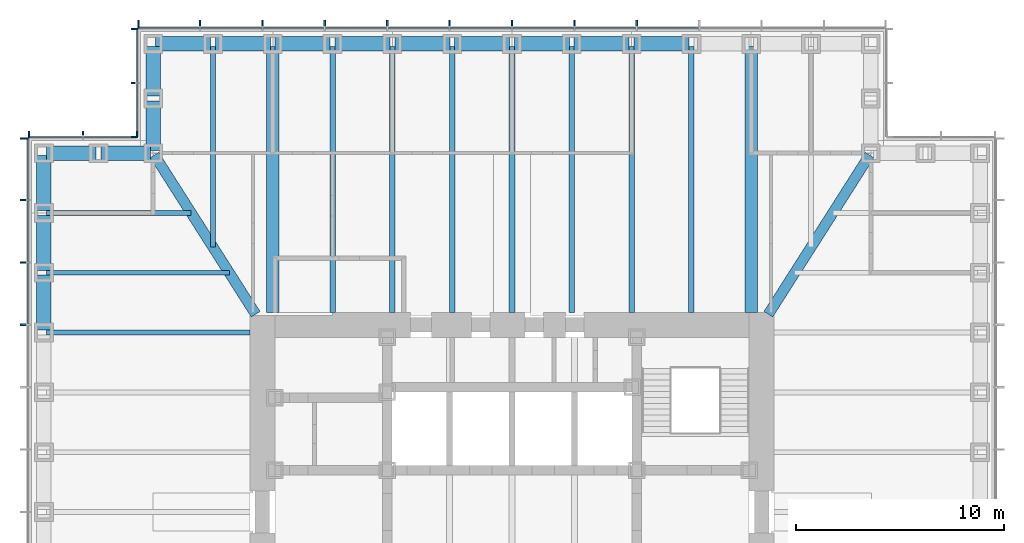
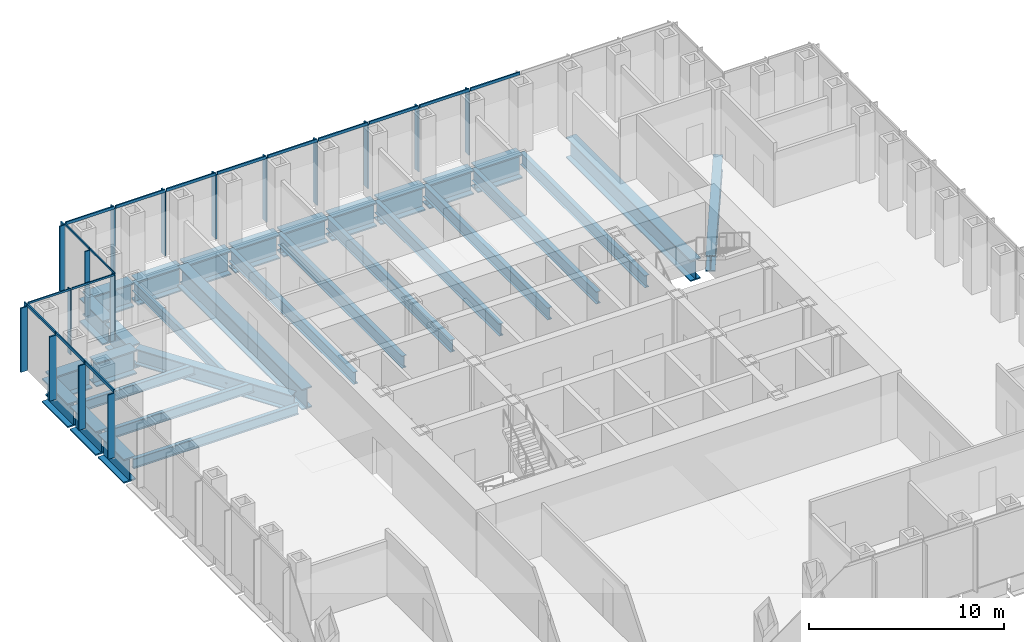
# One storey, part 5 of 17: 35 members, 31 beams, 4 elements without a shape of their own.
"""IFC4 building model written with IfcOpenShell, lengths in metres."""

from ifc_helpers import new_model, si_unit, direction, frame, origin, origin_2d, place, context, subcontext, project, spatial, rectangle, i_section, extrude, material, material_profile, profile_set, type_object, element, aggregate, save


model = new_model("IFC4")

# Units and contexts
model_context = context("Model", 3, precision=1e-05, world=origin(), true_north=direction((0.0, 1.0)))
body_context = subcontext(model_context, "Body", "Model", "MODEL_VIEW")
ifc_project = project(units=[si_unit("LENGTHUNIT", "METRE"), si_unit("AREAUNIT", "SQUARE_METRE"), si_unit("VOLUMEUNIT", "CUBIC_METRE"), si_unit("PLANEANGLEUNIT", "RADIAN"), si_unit("MASSUNIT", "GRAM", prefix="KILO")], contexts=[model_context])

# Site, building, storey
site_placement = place(None, origin())
site = spatial("IfcSite", under=ifc_project, at=site_placement, CompositionType="ELEMENT")
building_placement = place(site_placement, origin())
building = spatial("IfcBuilding", under=site, at=building_placement, Name="Daluyong Arena Tower", CompositionType="ELEMENT")
storey_placement = place(building_placement, frame((0.0, 0.0, 124.89990234375)))
storey = spatial("IfcBuildingStorey", under=building, at=storey_placement, Name="L27", CompositionType="ELEMENT", Elevation=124.89990234375)

# Curtain wall, members
ifc_material_1 = material(Name="Bronze anodised aluminium and glass", Category="aluminium")
curtain_wall_type_1 = type_object("IfcCurtainWallType", Name="Curtain wall CW2", PredefinedType="USERDEFINED", material=ifc_material_1)
curtain_wall_1_placement = place(storey_placement, origin())
curtain_wall_1 = element("IfcCurtainWall", 1, at=curtain_wall_1_placement, inside=storey, type_object=curtain_wall_type_1, Name="curtain wall L27 N", ObjectType="UNITISED CURTAIN WALL", PredefinedType="USERDEFINED")
ifc_material_2 = material(Name="Bronze anodised aluminium fin", Category="aluminium")
ifc_material_profile_1 = material_profile(ifc_material_2, rectangle(XDim=0.39990234375, YDim=0.080078125, at=origin_2d()))
ifc_profile_set_1 = profile_set([ifc_material_profile_1], Name="Bronze anodised aluminium fin")
member_type_1 = type_object("IfcMemberType", Name="CW2 bronze fin 400x80", PredefinedType="MULLION", material=ifc_profile_set_1)
member_1_placement = place(storey_placement, frame((62.0, 103.449951171875, 0.0), z_axis=(0.0, 0.0, 1.0), x_axis=(0.0, -1.0, 0.0)))
member_1 = element("IfcMember", 2, at=member_1_placement, type_object=member_type_1, Name="curtain wall L27 N fin 5", PredefinedType="MULLION", context=body_context, shape_type="SweptSolid", body=[
    extrude(rectangle(XDim=0.39990234375, YDim=0.080078125, at=origin_2d()), origin(), (0.0, 0.0, 1.0), 4.02001953125),
])
member_2_placement = place(storey_placement, frame((59.0, 103.449951171875, 0.0), z_axis=(0.0, 0.0, 1.0), x_axis=(0.0, -1.0, 0.0)))
member_2 = element("IfcMember", 3, at=member_2_placement, type_object=member_type_1, Name="curtain wall L27 N fin 6", PredefinedType="MULLION", context=body_context, shape_type="SweptSolid", body=[
    extrude(rectangle(XDim=0.39990234375, YDim=0.080078125, at=origin_2d()), origin(), (0.0, 0.0, 1.0), 4.02001953125),
])
member_3_placement = place(storey_placement, frame((56.0, 103.449951171875, 0.0), z_axis=(0.0, 0.0, 1.0), x_axis=(0.0, -1.0, 0.0)))
member_3 = element("IfcMember", 4, at=member_3_placement, type_object=member_type_1, Name="curtain wall L27 N fin 7", PredefinedType="MULLION", context=body_context, shape_type="SweptSolid", body=[
    extrude(rectangle(XDim=0.39990234375, YDim=0.080078125, at=origin_2d()), origin(), (0.0, 0.0, 1.0), 4.02001953125),
])
member_4_placement = place(storey_placement, frame((53.0, 103.449951171875, 0.0), z_axis=(0.0, 0.0, 1.0), x_axis=(0.0, -1.0, 0.0)))
member_4 = element("IfcMember", 5, at=member_4_placement, type_object=member_type_1, Name="curtain wall L27 N fin 8", PredefinedType="MULLION", context=body_context, shape_type="SweptSolid", body=[
    extrude(rectangle(XDim=0.39990234375, YDim=0.080078125, at=origin_2d()), origin(), (0.0, 0.0, 1.0), 4.02001953125),
])
member_5_placement = place(storey_placement, frame((50.0, 103.449951171875, 0.0), z_axis=(0.0, 0.0, 1.0), x_axis=(0.0, -1.0, 0.0)))
member_5 = element("IfcMember", 6, at=member_5_placement, type_object=member_type_1, Name="curtain wall L27 N fin 9", PredefinedType="MULLION", context=body_context, shape_type="SweptSolid", body=[
    extrude(rectangle(XDim=0.39990234375, YDim=0.080078125, at=origin_2d()), origin(), (0.0, 0.0, 1.0), 4.02001953125),
])
member_6_placement = place(storey_placement, frame((47.0, 103.449951171875, 0.0), z_axis=(0.0, 0.0, 1.0), x_axis=(0.0, -1.0, 0.0)))
member_6 = element("IfcMember", 7, at=member_6_placement, type_object=member_type_1, Name="curtain wall L27 N fin 10", PredefinedType="MULLION", context=body_context, shape_type="SweptSolid", body=[
    extrude(rectangle(XDim=0.39990234375, YDim=0.080078125, at=origin_2d()), origin(), (0.0, 0.0, 1.0), 4.02001953125),
])
member_7_placement = place(storey_placement, frame((44.0, 103.449951171875, 0.0), z_axis=(0.0, 0.0, 1.0), x_axis=(0.0, -1.0, 0.0)))
member_7 = element("IfcMember", 8, at=member_7_placement, type_object=member_type_1, Name="curtain wall L27 N fin 11", PredefinedType="MULLION", context=body_context, shape_type="SweptSolid", body=[
    extrude(rectangle(XDim=0.39990234375, YDim=0.080078125, at=origin_2d()), origin(), (0.0, 0.0, 1.0), 4.02001953125),
])
member_8_placement = place(storey_placement, frame((41.0, 103.449951171875, 0.0), z_axis=(0.0, 0.0, 1.0), x_axis=(0.0, -1.0, 0.0)))
member_8 = element("IfcMember", 9, at=member_8_placement, type_object=member_type_1, Name="curtain wall L27 N fin 12", PredefinedType="MULLION", context=body_context, shape_type="SweptSolid", body=[
    extrude(rectangle(XDim=0.39990234375, YDim=0.080078125, at=origin_2d()), origin(), (0.0, 0.0, 1.0), 4.02001953125),
])
member_9_placement = place(storey_placement, frame((38.0400390625, 103.449951171875, 0.0), z_axis=(0.0, 0.0, 1.0), x_axis=(0.0, -1.0, 0.0)))
member_9 = element("IfcMember", 10, at=member_9_placement, type_object=member_type_1, Name="curtain wall L27 N fin 13", PredefinedType="MULLION", context=body_context, shape_type="SweptSolid", body=[
    extrude(rectangle(XDim=0.39990234375, YDim=0.080078125, at=origin_2d()), origin(), (0.0, 0.0, 1.0), 4.02001953125),
])

curtain_wall_2_placement = place(storey_placement, origin())
curtain_wall_2 = element("IfcCurtainWall", 11, at=curtain_wall_2_placement, inside=storey, type_object=curtain_wall_type_1, Name="curtain wall L27 W", ObjectType="UNITISED CURTAIN WALL", PredefinedType="USERDEFINED")
member_10_placement = place(storey_placement, frame((32.550048828125, 97.9599609375, 0.0), z_axis=(0.0, 0.0, 1.0), x_axis=(1.0, 0.0, 0.0)))
member_10 = element("IfcMember", 12, at=member_10_placement, type_object=member_type_1, Name="curtain wall L27 W fin 1", PredefinedType="MULLION", context=body_context, shape_type="SweptSolid", body=[
    extrude(rectangle(XDim=0.39990234375, YDim=0.080078125, at=origin_2d()), origin(), (0.0, 0.0, 1.0), 4.02001953125),
])
member_11_placement = place(storey_placement, frame((32.550048828125, 95.0, 0.0), z_axis=(0.0, 0.0, 1.0), x_axis=(1.0, 0.0, 0.0)))
member_11 = element("IfcMember", 13, at=member_11_placement, type_object=member_type_1, Name="curtain wall L27 W fin 2", PredefinedType="MULLION", context=body_context, shape_type="SweptSolid", body=[
    extrude(rectangle(XDim=0.39990234375, YDim=0.080078125, at=origin_2d()), origin(), (0.0, 0.0, 1.0), 4.02001953125),
])
member_12_placement = place(storey_placement, frame((32.550048828125, 92.0, 0.0), z_axis=(0.0, 0.0, 1.0), x_axis=(1.0, 0.0, 0.0)))
member_12 = element("IfcMember", 14, at=member_12_placement, type_object=member_type_1, Name="curtain wall L27 W fin 3", PredefinedType="MULLION", context=body_context, shape_type="SweptSolid", body=[
    extrude(rectangle(XDim=0.39990234375, YDim=0.080078125, at=origin_2d()), origin(), (0.0, 0.0, 1.0), 4.02001953125),
])
member_13_placement = place(storey_placement, frame((32.550048828125, 89.0, 0.0), z_axis=(0.0, 0.0, 1.0), x_axis=(1.0, 0.0, 0.0)))
member_13 = element("IfcMember", 15, at=member_13_placement, type_object=member_type_1, Name="curtain wall L27 W fin 4", PredefinedType="MULLION", context=body_context, shape_type="SweptSolid", body=[
    extrude(rectangle(XDim=0.39990234375, YDim=0.080078125, at=origin_2d()), origin(), (0.0, 0.0, 1.0), 4.02001953125),
])

# Member
ifc_material_3 = material(Name="Bronze anodised aluminium", Category="aluminium")
ifc_material_profile_2 = material_profile(ifc_material_3, rectangle(XDim=0.080078125, YDim=0.179931640625, at=origin_2d()))
ifc_profile_set_2 = profile_set([ifc_material_profile_2], Name="Bronze anodised aluminium")
member_type_2 = type_object("IfcMemberType", Name="CW2 stack transom 180x80", PredefinedType="USERDEFINED", material=ifc_profile_set_2)
member_14_placement = place(storey_placement, frame((64.9599609375, 103.25, 4.110107421875), z_axis=(-1.0, 0.0, 0.0), x_axis=(0.0, -1.0, 0.0)))
member_14 = element("IfcMember", 16, at=member_14_placement, type_object=member_type_2, Name="curtain wall L27 N transom 4", ObjectType="TRANSOM", PredefinedType="USERDEFINED", context=body_context, shape_type="SweptSolid", body=[
    extrude(rectangle(XDim=0.080078125, YDim=0.179931640625, at=origin_2d()), origin(), (0.0, 0.0, 1.0), 2.919921875),
])

member_15_placement = place(storey_placement, frame((61.9599609375, 103.25, 4.110107421875), z_axis=(-1.0, 0.0, 0.0), x_axis=(0.0, -1.0, 0.0)))
member_15 = element("IfcMember", 17, at=member_15_placement, type_object=member_type_2, Name="curtain wall L27 N transom 5", ObjectType="TRANSOM", PredefinedType="USERDEFINED", context=body_context, shape_type="SweptSolid", body=[
    extrude(rectangle(XDim=0.080078125, YDim=0.179931640625, at=origin_2d()), origin(), (0.0, 0.0, 1.0), 2.919921875),
])

member_16_placement = place(storey_placement, frame((58.9599609375, 103.25, 4.110107421875), z_axis=(-1.0, 0.0, 0.0), x_axis=(0.0, -1.0, 0.0)))
member_16 = element("IfcMember", 18, at=member_16_placement, type_object=member_type_2, Name="curtain wall L27 N transom 6", ObjectType="TRANSOM", PredefinedType="USERDEFINED", context=body_context, shape_type="SweptSolid", body=[
    extrude(rectangle(XDim=0.080078125, YDim=0.179931640625, at=origin_2d()), origin(), (0.0, 0.0, 1.0), 2.919921875),
])

member_17_placement = place(storey_placement, frame((55.9599609375, 103.25, 4.110107421875), z_axis=(-1.0, 0.0, 0.0), x_axis=(0.0, -1.0, 0.0)))
member_17 = element("IfcMember", 19, at=member_17_placement, type_object=member_type_2, Name="curtain wall L27 N transom 7", ObjectType="TRANSOM", PredefinedType="USERDEFINED", context=body_context, shape_type="SweptSolid", body=[
    extrude(rectangle(XDim=0.080078125, YDim=0.179931640625, at=origin_2d()), origin(), (0.0, 0.0, 1.0), 2.919921875),
])

member_18_placement = place(storey_placement, frame((52.9599609375, 103.25, 4.110107421875), z_axis=(-1.0, 0.0, 0.0), x_axis=(0.0, -1.0, 0.0)))
member_18 = element("IfcMember", 20, at=member_18_placement, type_object=member_type_2, Name="curtain wall L27 N transom 8", ObjectType="TRANSOM", PredefinedType="USERDEFINED", context=body_context, shape_type="SweptSolid", body=[
    extrude(rectangle(XDim=0.080078125, YDim=0.179931640625, at=origin_2d()), origin(), (0.0, 0.0, 1.0), 2.919921875),
])

member_19_placement = place(storey_placement, frame((49.9599609375, 103.25, 4.110107421875), z_axis=(-1.0, 0.0, 0.0), x_axis=(0.0, -1.0, 0.0)))
member_19 = element("IfcMember", 21, at=member_19_placement, type_object=member_type_2, Name="curtain wall L27 N transom 9", ObjectType="TRANSOM", PredefinedType="USERDEFINED", context=body_context, shape_type="SweptSolid", body=[
    extrude(rectangle(XDim=0.080078125, YDim=0.179931640625, at=origin_2d()), origin(), (0.0, 0.0, 1.0), 2.919921875),
])

member_20_placement = place(storey_placement, frame((46.9599609375, 103.25, 4.110107421875), z_axis=(-1.0, 0.0, 0.0), x_axis=(0.0, -1.0, 0.0)))
member_20 = element("IfcMember", 22, at=member_20_placement, type_object=member_type_2, Name="curtain wall L27 N transom 10", ObjectType="TRANSOM", PredefinedType="USERDEFINED", context=body_context, shape_type="SweptSolid", body=[
    extrude(rectangle(XDim=0.080078125, YDim=0.179931640625, at=origin_2d()), origin(), (0.0, 0.0, 1.0), 2.919921875),
])

member_21_placement = place(storey_placement, frame((43.9599609375, 103.25, 4.110107421875), z_axis=(-1.0, 0.0, 0.0), x_axis=(0.0, -1.0, 0.0)))
member_21 = element("IfcMember", 23, at=member_21_placement, type_object=member_type_2, Name="curtain wall L27 N transom 11", ObjectType="TRANSOM", PredefinedType="USERDEFINED", context=body_context, shape_type="SweptSolid", body=[
    extrude(rectangle(XDim=0.080078125, YDim=0.179931640625, at=origin_2d()), origin(), (0.0, 0.0, 1.0), 2.919921875),
])

member_22_placement = place(storey_placement, frame((40.9599609375, 103.25, 4.110107421875), z_axis=(-1.0, 0.0, 0.0), x_axis=(0.0, -1.0, 0.0)))
member_22 = element("IfcMember", 24, at=member_22_placement, type_object=member_type_2, Name="curtain wall L27 N transom 12", ObjectType="TRANSOM", PredefinedType="USERDEFINED", context=body_context, shape_type="SweptSolid", body=[
    extrude(rectangle(XDim=0.080078125, YDim=0.179931640625, at=origin_2d()), origin(), (0.0, 0.0, 1.0), 2.8798828125),
])

aggregate(curtain_wall_1, [member_1, member_2, member_3, member_4, member_5, member_6, member_7, member_8, member_9, member_14, member_15, member_16, member_17, member_18, member_19, member_20, member_21, member_22])

member_23_placement = place(storey_placement, frame((32.75, 97.919921875, 4.110107421875), z_axis=(0.0, -1.0, 0.0), x_axis=(1.0, 0.0, 0.0)))
member_23 = element("IfcMember", 25, at=member_23_placement, type_object=member_type_2, Name="curtain wall L27 W transom 1", ObjectType="TRANSOM", PredefinedType="USERDEFINED", context=body_context, shape_type="SweptSolid", body=[
    extrude(rectangle(XDim=0.080078125, YDim=0.179931640625, at=origin_2d()), origin(), (0.0, 0.0, 1.0), 2.8798828125),
])

member_24_placement = place(storey_placement, frame((32.75, 94.9599609375, 4.110107421875), z_axis=(0.0, -1.0, 0.0), x_axis=(1.0, 0.0, 0.0)))
member_24 = element("IfcMember", 26, at=member_24_placement, type_object=member_type_2, Name="curtain wall L27 W transom 2", ObjectType="TRANSOM", PredefinedType="USERDEFINED", context=body_context, shape_type="SweptSolid", body=[
    extrude(rectangle(XDim=0.080078125, YDim=0.179931640625, at=origin_2d()), origin(), (0.0, 0.0, 1.0), 2.919921875),
])

member_25_placement = place(storey_placement, frame((32.75, 91.9599609375, 4.110107421875), z_axis=(0.0, -1.0, 0.0), x_axis=(1.0, 0.0, 0.0)))
member_25 = element("IfcMember", 27, at=member_25_placement, type_object=member_type_2, Name="curtain wall L27 W transom 3", ObjectType="TRANSOM", PredefinedType="USERDEFINED", context=body_context, shape_type="SweptSolid", body=[
    extrude(rectangle(XDim=0.080078125, YDim=0.179931640625, at=origin_2d()), origin(), (0.0, 0.0, 1.0), 2.919921875),
])

aggregate(curtain_wall_2, [member_10, member_11, member_12, member_13, member_23, member_24, member_25])

# Curtain wall, members
ifc_material_4 = material(Name="Bronze anodised aluminium and glass", Category="aluminium")
curtain_wall_type_2 = type_object("IfcCurtainWallType", Name="Curtain wall CW7", PredefinedType="USERDEFINED", material=ifc_material_4)
curtain_wall_3_placement = place(storey_placement, origin())
curtain_wall_3 = element("IfcCurtainWall", 28, at=curtain_wall_3_placement, inside=storey, type_object=curtain_wall_type_2, Name="curtain wall L27 NW-W", ObjectType="UNITISED CURTAIN WALL", PredefinedType="USERDEFINED")
ifc_material_5 = material(Name="Bronze anodised aluminium fin", Category="aluminium")
ifc_material_profile_3 = material_profile(ifc_material_5, rectangle(XDim=0.300048828125, YDim=0.06005859375, at=origin_2d()))
ifc_profile_set_3 = profile_set([ifc_material_profile_3], Name="Bronze anodised aluminium fin")
member_type_3 = type_object("IfcMemberType", Name="CW7 bronze fin 300x60", PredefinedType="MULLION", material=ifc_profile_set_3)
member_26_placement = place(storey_placement, frame((37.85009765625, 103.219970703125, 0.0), z_axis=(0.0, 0.0, 1.0), x_axis=(1.0, 0.0, 0.0)))
member_26 = element("IfcMember", 29, at=member_26_placement, type_object=member_type_3, Name="curtain wall L27 NW-W fin 1", PredefinedType="MULLION", context=body_context, shape_type="SweptSolid", body=[
    extrude(rectangle(XDim=0.300048828125, YDim=0.06005859375, at=origin_2d()), origin(), (0.0, 0.0, 1.0), 4.080078125),
])
member_27_placement = place(storey_placement, frame((37.85009765625, 100.625, 0.0), z_axis=(0.0, 0.0, 1.0), x_axis=(1.0, 0.0, 0.0)))
member_27 = element("IfcMember", 30, at=member_27_placement, type_object=member_type_3, Name="curtain wall L27 NW-W fin 2", PredefinedType="MULLION", context=body_context, shape_type="SweptSolid", body=[
    extrude(rectangle(XDim=0.300048828125, YDim=0.06005859375, at=origin_2d()), origin(), (0.0, 0.0, 1.0), 4.080078125),
])
member_28_placement = place(storey_placement, frame((37.85009765625, 98.030029296875, 0.0), z_axis=(0.0, 0.0, 1.0), x_axis=(1.0, 0.0, 0.0)))
member_28 = element("IfcMember", 31, at=member_28_placement, type_object=member_type_3, Name="curtain wall L27 NW-W fin 3", PredefinedType="MULLION", context=body_context, shape_type="SweptSolid", body=[
    extrude(rectangle(XDim=0.300048828125, YDim=0.06005859375, at=origin_2d()), origin(), (0.0, 0.0, 1.0), 4.080078125),
])

curtain_wall_4_placement = place(storey_placement, origin())
curtain_wall_4 = element("IfcCurtainWall", 32, at=curtain_wall_4_placement, inside=storey, type_object=curtain_wall_type_2, Name="curtain wall L27 NW-N", ObjectType="UNITISED CURTAIN WALL", PredefinedType="USERDEFINED")
member_29_placement = place(storey_placement, frame((37.969970703125, 98.14990234375, 0.0), z_axis=(0.0, 0.0, 1.0), x_axis=(0.0, -1.0, 0.0)))
member_29 = element("IfcMember", 33, at=member_29_placement, type_object=member_type_3, Name="curtain wall L27 NW-N fin 1", PredefinedType="MULLION", context=body_context, shape_type="SweptSolid", body=[
    extrude(rectangle(XDim=0.300048828125, YDim=0.06005859375, at=origin_2d()), origin(), (0.0, 0.0, 1.0), 4.080078125),
])
member_30_placement = place(storey_placement, frame((35.375, 98.14990234375, 0.0), z_axis=(0.0, 0.0, 1.0), x_axis=(0.0, -1.0, 0.0)))
member_30 = element("IfcMember", 34, at=member_30_placement, type_object=member_type_3, Name="curtain wall L27 NW-N fin 2", PredefinedType="MULLION", context=body_context, shape_type="SweptSolid", body=[
    extrude(rectangle(XDim=0.300048828125, YDim=0.06005859375, at=origin_2d()), origin(), (0.0, 0.0, 1.0), 4.080078125),
])
member_31_placement = place(storey_placement, frame((32.780029296875, 98.14990234375, 0.0), z_axis=(0.0, 0.0, 1.0), x_axis=(0.0, -1.0, 0.0)))
member_31 = element("IfcMember", 35, at=member_31_placement, type_object=member_type_3, Name="curtain wall L27 NW-N fin 3", PredefinedType="MULLION", context=body_context, shape_type="SweptSolid", body=[
    extrude(rectangle(XDim=0.300048828125, YDim=0.06005859375, at=origin_2d()), origin(), (0.0, 0.0, 1.0), 4.080078125),
])

# Member
ifc_material_6 = material(Name="Bronze anodised aluminium", Category="aluminium")
ifc_material_profile_4 = material_profile(ifc_material_6, rectangle(XDim=0.06005859375, YDim=0.1201171875, at=origin_2d()))
ifc_profile_set_4 = profile_set([ifc_material_profile_4], Name="Bronze anodised aluminium")
member_type_4 = type_object("IfcMemberType", Name="CW7 stack transom 120x60", PredefinedType="USERDEFINED", material=ifc_profile_set_4)
member_32_placement = place(storey_placement, frame((38.0, 103.18994140625, 4.14013671875), z_axis=(0.0, -1.0, 0.0), x_axis=(1.0, 0.0, 0.0)))
member_32 = element("IfcMember", 36, at=member_32_placement, type_object=member_type_4, Name="curtain wall L27 NW-W transom 1", ObjectType="TRANSOM", PredefinedType="USERDEFINED", context=body_context, shape_type="SweptSolid", body=[
    extrude(rectangle(XDim=0.06005859375, YDim=0.1201171875, at=origin_2d()), origin(), (0.0, 0.0, 1.0), 2.534912109375),
])

member_33_placement = place(storey_placement, frame((38.0, 100.594970703125, 4.14013671875), z_axis=(0.0, -1.0, 0.0), x_axis=(1.0, 0.0, 0.0)))
member_33 = element("IfcMember", 37, at=member_33_placement, type_object=member_type_4, Name="curtain wall L27 NW-W transom 2", ObjectType="TRANSOM", PredefinedType="USERDEFINED", context=body_context, shape_type="SweptSolid", body=[
    extrude(rectangle(XDim=0.06005859375, YDim=0.1201171875, at=origin_2d()), origin(), (0.0, 0.0, 1.0), 2.534912109375),
])

aggregate(curtain_wall_3, [member_26, member_27, member_28, member_32, member_33])

member_34_placement = place(storey_placement, frame((37.93994140625, 98.0, 4.14013671875), z_axis=(-1.0, 0.0, 0.0), x_axis=(0.0, -1.0, 0.0)))
member_34 = element("IfcMember", 38, at=member_34_placement, type_object=member_type_4, Name="curtain wall L27 NW-N transom 1", ObjectType="TRANSOM", PredefinedType="USERDEFINED", context=body_context, shape_type="SweptSolid", body=[
    extrude(rectangle(XDim=0.06005859375, YDim=0.1201171875, at=origin_2d()), origin(), (0.0, 0.0, 1.0), 2.534912109375),
])

member_35_placement = place(storey_placement, frame((35.344970703125, 98.0, 4.14013671875), z_axis=(-1.0, 0.0, 0.0), x_axis=(0.0, -1.0, 0.0)))
member_35 = element("IfcMember", 39, at=member_35_placement, type_object=member_type_4, Name="curtain wall L27 NW-N transom 2", ObjectType="TRANSOM", PredefinedType="USERDEFINED", context=body_context, shape_type="SweptSolid", body=[
    extrude(rectangle(XDim=0.06005859375, YDim=0.1201171875, at=origin_2d()), origin(), (0.0, 0.0, 1.0), 2.534912109375),
])

aggregate(curtain_wall_4, [member_29, member_30, member_31, member_34, member_35])

# Beams
ifc_material_7 = material(Name="Steel ASTM A572 Grade 50", Category="steel")
ifc_material_profile_5 = material_profile(ifc_material_7, i_section(OverallWidth=0.5, OverallDepth=1.0, WebThickness=0.03, FlangeThickness=0.06, at=origin_2d()))
ifc_profile_set_5 = profile_set([ifc_material_profile_5], Name="Steel ASTM A572 Grade 50")
beam_type_1 = type_object("IfcBeamType", Name="Corner girder TB1000X500", PredefinedType="BEAM", material=ifc_profile_set_5)
for number, where, z_axis, x_axis, name in (
    (40, (73.188232421875, 97.153076171875, -0.659912109375), (-0.536872006459, -0.843663705916, 0.0), (0.843663705916, -0.536872006459, 0.0), "corner girder DG2"),
    (41, (38.811767578125, 97.153076171875, -0.659912109375), (0.536872006459, -0.843663705916, 0.0), (0.843663705916, 0.536872006459, 0.0), "corner girder DG2"),
):
    element("IfcBeam", number, at=place(storey_placement, frame(where, z_axis=z_axis, x_axis=x_axis)), inside=storey, type_object=beam_type_1, Name=name, PredefinedType="BEAM", context=body_context, shape_type="SweptSolid", body=[
        extrude(i_section(OverallWidth=0.5, OverallDepth=1.0, WebThickness=0.03, FlangeThickness=0.06, at=origin_2d()), origin(), (0.0, 0.0, 1.0), 9.06396484375),
    ])
ifc_material_8 = material(Name="Steel ASTM A572 Grade 50", Category="steel")
ifc_material_profile_6 = material_profile(ifc_material_8, i_section(OverallWidth=0.60009765625, OverallDepth=1.300048828125, WebThickness=0.035, FlangeThickness=0.07, at=origin_2d()))
ifc_profile_set_6 = profile_set([ifc_material_profile_6], Name="Steel ASTM A572 Grade 50")
beam_type_2 = type_object("IfcBeamType", Name="Floor beam TB1300X600", PredefinedType="BEAM", material=ifc_profile_set_6)
for number, where, z_axis, x_axis, name in (
    (42, (67.5, 102.385009765625, -0.809814453125), (0.0, -1.0, 0.0), (1.0, 0.0, 0.0), "floor beam FB7"),
    (43, (44.5, 102.385009765625, -0.809814453125), (0.0, -1.0, 0.0), (1.0, 0.0, 0.0), "floor beam FB7"),
):
    element("IfcBeam", number, at=place(storey_placement, frame(where, z_axis=z_axis, x_axis=x_axis)), inside=storey, type_object=beam_type_2, Name=name, PredefinedType="BEAM", context=body_context, shape_type="SweptSolid", body=[
        extrude(i_section(OverallWidth=0.60009765625, OverallDepth=1.300048828125, WebThickness=0.035, FlangeThickness=0.07, at=origin_2d()), origin(), (0.0, 0.0, 1.0), 12.784912109375),
    ])
ifc_material_9 = material(Name="Steel ASTM A992 Grade 50", Category="steel")
ifc_material_profile_7 = material_profile(ifc_material_9, i_section(OverallWidth=0.22900390625, OverallDepth=0.612060546875, WebThickness=0.011962890625, FlangeThickness=0.01953125, at=origin_2d()))
ifc_profile_set_7 = profile_set([ifc_material_profile_7], Name="Steel ASTM A992 Grade 50")
beam_type_3 = type_object("IfcBeamType", Name="Floor beam W24X84", PredefinedType="BEAM", material=ifc_profile_set_7)
beam_1_placement = place(storey_placement, frame((41.625, 102.385009765625, -0.466064453125), z_axis=(0.0, -1.0, 0.0), x_axis=(1.0, 0.0, 0.0)))
element("IfcBeam", 44, at=beam_1_placement, inside=storey, type_object=beam_type_3, Name="floor beam FB3", PredefinedType="BEAM", context=body_context, shape_type="SweptSolid", body=[
    extrude(i_section(OverallWidth=0.22900390625, OverallDepth=0.612060546875, WebThickness=0.011962890625, FlangeThickness=0.01953125, at=origin_2d()), origin(), (0.0, 0.0, 1.0), 9.65283203125),
])
beam_2_placement = place(storey_placement, frame((33.614990234375, 94.375, -0.466064453125), z_axis=(1.0, 0.0, 0.0), x_axis=(0.0, 1.0, 0.0)))
element("IfcBeam", 45, at=beam_2_placement, inside=storey, type_object=beam_type_3, Name="floor beam FB3", PredefinedType="BEAM", context=body_context, shape_type="SweptSolid", body=[
    extrude(i_section(OverallWidth=0.22900390625, OverallDepth=0.612060546875, WebThickness=0.011962890625, FlangeThickness=0.01953125, at=origin_2d()), origin(), (0.0, 0.0, 1.0), 6.964599609375),
])
beam_3_placement = place(storey_placement, frame((33.614990234375, 91.5, -0.466064453125), z_axis=(1.0, 0.0, 0.0), x_axis=(0.0, 1.0, 0.0)))
element("IfcBeam", 46, at=beam_3_placement, inside=storey, type_object=beam_type_3, Name="floor beam FB3", PredefinedType="BEAM", context=body_context, shape_type="SweptSolid", body=[
    extrude(i_section(OverallWidth=0.22900390625, OverallDepth=0.612060546875, WebThickness=0.011962890625, FlangeThickness=0.01953125, at=origin_2d()), origin(), (0.0, 0.0, 1.0), 8.794189453125),
])
beam_4_placement = place(storey_placement, frame((33.614990234375, 88.625, -0.466064453125), z_axis=(1.0, 0.0, 0.0), x_axis=(0.0, 1.0, 0.0)))
element("IfcBeam", 47, at=beam_4_placement, inside=storey, type_object=beam_type_3, Name="floor beam FB3", PredefinedType="BEAM", context=body_context, shape_type="SweptSolid", body=[
    extrude(i_section(OverallWidth=0.22900390625, OverallDepth=0.612060546875, WebThickness=0.011962890625, FlangeThickness=0.01953125, at=origin_2d()), origin(), (0.0, 0.0, 1.0), 9.784912109375),
])
ifc_material_10 = material(Name="Steel ASTM A992 Grade 50", Category="steel")
ifc_material_profile_8 = material_profile(ifc_material_10, i_section(OverallWidth=0.2666015625, OverallDepth=0.761962890625, WebThickness=0.014404296875, FlangeThickness=0.021484375, at=origin_2d()))
ifc_profile_set_8 = profile_set([ifc_material_profile_8], Name="Steel ASTM A992 Grade 50")
beam_type_4 = type_object("IfcBeamType", Name="Floor beam W30X116", PredefinedType="BEAM", material=ifc_profile_set_8)
for number, where, z_axis, x_axis, name in (
    (48, (64.625, 102.385009765625, -0.541015625), (0.0, -1.0, 0.0), (1.0, 0.0, 0.0), "floor beam FB4"),
    (49, (61.75, 102.385009765625, -0.541015625), (0.0, -1.0, 0.0), (1.0, 0.0, 0.0), "floor beam FB4"),
    (50, (58.875, 102.385009765625, -0.541015625), (0.0, -1.0, 0.0), (1.0, 0.0, 0.0), "floor beam FB4"),
    (51, (56.0, 102.385009765625, -0.541015625), (0.0, -1.0, 0.0), (1.0, 0.0, 0.0), "floor beam FB4"),
    (52, (53.125, 102.385009765625, -0.541015625), (0.0, -1.0, 0.0), (1.0, 0.0, 0.0), "floor beam FB4"),
    (53, (50.25, 102.385009765625, -0.541015625), (0.0, -1.0, 0.0), (1.0, 0.0, 0.0), "floor beam FB4"),
    (54, (47.375, 102.385009765625, -0.541015625), (0.0, -1.0, 0.0), (1.0, 0.0, 0.0), "floor beam FB4"),
):
    element("IfcBeam", number, at=place(storey_placement, frame(where, z_axis=z_axis, x_axis=x_axis)), inside=storey, type_object=beam_type_4, Name=name, PredefinedType="BEAM", context=body_context, shape_type="SweptSolid", body=[
        extrude(i_section(OverallWidth=0.2666015625, OverallDepth=0.761962890625, WebThickness=0.014404296875, FlangeThickness=0.021484375, at=origin_2d()), origin(), (0.0, 0.0, 1.0), 12.784912109375),
    ])
ifc_material_11 = material(Name="Steel ASTM A572 Grade 50", Category="steel")
ifc_material_profile_9 = material_profile(ifc_material_11, i_section(OverallWidth=0.699951171875, OverallDepth=1.5, WebThickness=0.04, FlangeThickness=0.08, at=origin_2d()))
ifc_profile_set_9 = profile_set([ifc_material_profile_9], Name="Steel ASTM A572 Grade 50")
beam_type_5 = type_object("IfcBeamType", Name="Spandrel Z2 PG1500X700", PredefinedType="SPANDREL", material=ifc_profile_set_9)
for number, where, z_axis, x_axis, name in (
    (55, (64.510009765625, 102.5, -0.909912109375), (-1.0, 0.0, 0.0), (0.0, -1.0, 0.0), "spandrel z2 SB6"),
    (56, (61.635009765625, 102.5, -0.909912109375), (-1.0, 0.0, 0.0), (0.0, -1.0, 0.0), "spandrel z2 SB6"),
    (57, (58.760009765625, 102.5, -0.909912109375), (-1.0, 0.0, 0.0), (0.0, -1.0, 0.0), "spandrel z2 SB6"),
    (58, (55.885009765625, 102.5, -0.909912109375), (-1.0, 0.0, 0.0), (0.0, -1.0, 0.0), "spandrel z2 SB6"),
    (59, (53.010009765625, 102.5, -0.909912109375), (-1.0, 0.0, 0.0), (0.0, -1.0, 0.0), "spandrel z2 SB6"),
    (60, (50.135009765625, 102.5, -0.909912109375), (-1.0, 0.0, 0.0), (0.0, -1.0, 0.0), "spandrel z2 SB6"),
    (61, (47.260009765625, 102.5, -0.909912109375), (-1.0, 0.0, 0.0), (0.0, -1.0, 0.0), "spandrel z2 SB6"),
    (62, (44.385009765625, 102.5, -0.909912109375), (-1.0, 0.0, 0.0), (0.0, -1.0, 0.0), "spandrel z2 SB6"),
    (63, (41.510009765625, 102.5, -0.909912109375), (-1.0, 0.0, 0.0), (0.0, -1.0, 0.0), "spandrel z2 SB6"),
):
    element("IfcBeam", number, at=place(storey_placement, frame(where, z_axis=z_axis, x_axis=x_axis)), inside=storey, type_object=beam_type_5, Name=name, PredefinedType="SPANDREL", context=body_context, shape_type="SweptSolid", body=[
        extrude(i_section(OverallWidth=0.699951171875, OverallDepth=1.5, WebThickness=0.04, FlangeThickness=0.08, at=origin_2d()), origin(), (0.0, 0.0, 1.0), 2.64501953125),
    ])
for number, where, z_axis, x_axis, name in (
    (64, (38.75, 102.385009765625, -0.909912109375), (0.0, -1.0, 0.0), (1.0, 0.0, 0.0), "spandrel z2 SB6"),
    (65, (38.75, 99.760009765625, -0.909912109375), (0.0, -1.0, 0.0), (1.0, 0.0, 0.0), "spandrel z2 SB6"),
    (66, (38.635009765625, 97.25, -0.909912109375), (-1.0, 0.0, 0.0), (0.0, -1.0, 0.0), "spandrel z2 SB6"),
    (67, (36.010009765625, 97.25, -0.909912109375), (-1.0, 0.0, 0.0), (0.0, -1.0, 0.0), "spandrel z2 SB6"),
):
    element("IfcBeam", number, at=place(storey_placement, frame(where, z_axis=z_axis, x_axis=x_axis)), inside=storey, type_object=beam_type_5, Name=name, PredefinedType="SPANDREL", context=body_context, shape_type="SweptSolid", body=[
        extrude(i_section(OverallWidth=0.699951171875, OverallDepth=1.5, WebThickness=0.04, FlangeThickness=0.08, at=origin_2d()), origin(), (0.0, 0.0, 1.0), 2.39501953125),
    ])
for number, where, z_axis, x_axis, name in (
    (68, (33.5, 97.135009765625, -0.909912109375), (0.0, -1.0, 0.0), (1.0, 0.0, 0.0), "spandrel z2 SB6"),
    (69, (33.5, 94.260009765625, -0.909912109375), (0.0, -1.0, 0.0), (1.0, 0.0, 0.0), "spandrel z2 SB6"),
    (70, (33.5, 91.385009765625, -0.909912109375), (0.0, -1.0, 0.0), (1.0, 0.0, 0.0), "spandrel z2 SB6"),
):
    element("IfcBeam", number, at=place(storey_placement, frame(where, z_axis=z_axis, x_axis=x_axis)), inside=storey, type_object=beam_type_5, Name=name, PredefinedType="SPANDREL", context=body_context, shape_type="SweptSolid", body=[
        extrude(i_section(OverallWidth=0.699951171875, OverallDepth=1.5, WebThickness=0.04, FlangeThickness=0.08, at=origin_2d()), origin(), (0.0, 0.0, 1.0), 2.64501953125),
    ])

save(model, "model.ifc")
